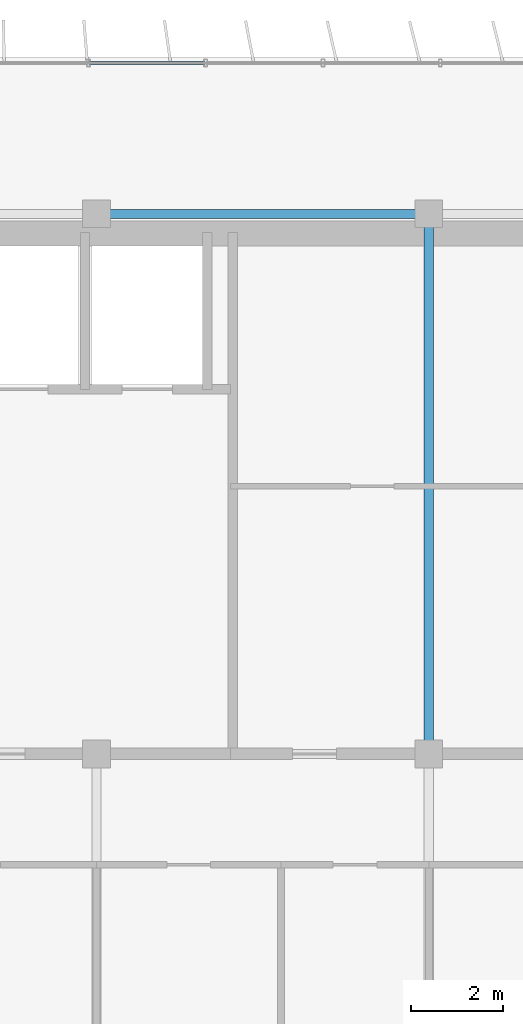
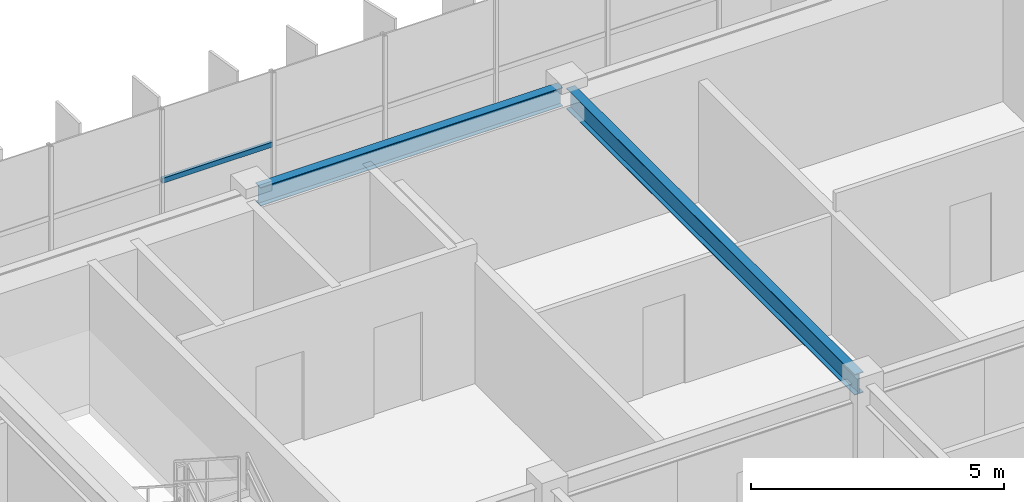
# One storey, part 7 of 22: 2 beams, 1 member, 1 element without a shape of its own.
"""IFC4 building model written with IfcOpenShell, lengths in metres."""

from ifc_helpers import new_model, si_unit, direction, frame, origin, origin_2d, place, context, subcontext, project, spatial, hollow_rectangle, i_section, extrude, source, transform, mapped, material, material_profile, profile_set, type_object, element, aggregate, save


model = new_model("IFC4")

# Units and contexts
model_context = context("Model", 3, precision=1e-05, world=origin(), true_north=direction((0.0, 1.0)))
body_context = subcontext(model_context, "Body", "Model", "MODEL_VIEW")
ifc_project = project(units=[si_unit("LENGTHUNIT", "METRE"), si_unit("AREAUNIT", "SQUARE_METRE"), si_unit("VOLUMEUNIT", "CUBIC_METRE"), si_unit("PLANEANGLEUNIT", "RADIAN"), si_unit("MASSUNIT", "GRAM", prefix="KILO")], contexts=[model_context])

# Site, building, storey
site_placement = place(None, origin())
site = spatial("IfcSite", under=ifc_project, at=site_placement, CompositionType="ELEMENT")
building_placement = place(site_placement, origin())
building = spatial("IfcBuilding", under=site, at=building_placement, Name="Trelvane Seafront Commons", CompositionType="ELEMENT")
storey_placement = place(building_placement, frame((0.0, 0.0, 281.10009765625)))
storey = spatial("IfcBuildingStorey", under=building, at=storey_placement, Name="L73", CompositionType="ELEMENT", Elevation=281.10009765625)

# Beams
ifc_material_1 = material(Name="Steel SM355 (S355)", Category="steel")
ifc_material_profile_1 = material_profile(ifc_material_1, i_section(OverallWidth=0.199951171875, OverallDepth=0.5, WebThickness=0.010009765625, FlangeThickness=0.01611328125, at=origin_2d()), Name="H-500x200x10x16")
ifc_profile_set_1 = profile_set([ifc_material_profile_1], Name="Steel SM355 (S355)")
beam_type_1 = type_object("IfcBeamType", Name="STR-BM-H500", PredefinedType="BEAM", material=ifc_profile_set_1)
shared_shape_1 = source(origin(), body_context, "Body", "SweptSolid", [
    extrude(i_section(OverallWidth=0.199951171875, OverallDepth=0.5, WebThickness=0.010009765625, FlangeThickness=0.01611328125, at=origin_2d()), origin(), (0.0, 0.0, 1.0), 11.39990234375),
])
beam_1_placement = place(storey_placement, frame((30.60009765625, 33.550048828125, 3.119873046875), z_axis=(0.0, 1.0, 0.0), x_axis=(-1.0, 0.0, 0.0)))
element("IfcBeam", 1, at=beam_1_placement, inside=storey, type_object=beam_type_1, Name="L73 Primary Girder G-40", PredefinedType="BEAM", context=body_context, shape_type="MappedRepresentation", body=[
    mapped(shared_shape_1, transform((0.0, 0.0, 0.0), x_axis=(1.0, 0.0, 0.0), y_axis=(0.0, 1.0, 0.0), z_axis=(0.0, 0.0, 1.0), scale=1.0)),
])
ifc_material_profile_2 = material_profile(ifc_material_1, i_section(OverallWidth=0.199951171875, OverallDepth=0.449951171875, WebThickness=0.009033203125, FlangeThickness=0.013916015625, at=origin_2d()), Name="H-450x200x9x14")
ifc_profile_set_2 = profile_set([ifc_material_profile_2], Name="Steel SM355 (S355)")
beam_type_2 = type_object("IfcBeamType", Name="STR-SPD-H450", PredefinedType="SPANDREL", material=ifc_profile_set_2)
shared_shape_2 = source(origin(), body_context, "Body", "SweptSolid", [
    extrude(i_section(OverallWidth=0.199951171875, OverallDepth=0.449951171875, WebThickness=0.009033203125, FlangeThickness=0.013916015625, at=origin_2d()), origin(), (0.0, 0.0, 1.0), 6.89990234375),
])
beam_2_placement = place(storey_placement, frame((23.550048828125, 45.10009765625, 3.14501953125), z_axis=(1.0, 0.0, 0.0), x_axis=(0.0, 1.0, 0.0)))
element("IfcBeam", 2, at=beam_2_placement, inside=storey, type_object=beam_type_2, Name="L73 Primary Girder G-24", PredefinedType="SPANDREL", context=body_context, shape_type="MappedRepresentation", body=[
    mapped(shared_shape_2, transform((0.0, 0.0, 0.0), x_axis=(1.0, 0.0, 0.0), y_axis=(0.0, 1.0, 0.0), z_axis=(0.0, 0.0, 1.0), scale=1.0)),
])

# Curtain wall, member
ifc_material_2 = material(Name="Anodised pale-silver aluminium", Category="aluminium")
curtain_wall_type = type_object("IfcCurtainWallType", Name="ARCH-CW5-UPTOWER", PredefinedType="NOTDEFINED", material=ifc_material_2)
curtain_wall_placement = place(storey_placement, origin())
curtain_wall = element("IfcCurtainWall", 3, at=curtain_wall_placement, inside=storey, type_object=curtain_wall_type, Name="CW-L73-0117", PredefinedType="NOTDEFINED")
ifc_material_profile_3 = material_profile(ifc_material_2, hollow_rectangle(XDim=0.070068359375, YDim=0.1201171875, WallThickness=0.00390625, at=origin_2d()), Name="TRAN-70x120x4")
ifc_profile_set_3 = profile_set([ifc_material_profile_3], Name="Anodised pale-silver aluminium")
member_type = type_object("IfcMemberType", Name="ARCH-CW-TRAN-120", PredefinedType="USERDEFINED", material=ifc_profile_set_3)
shared_shape_3 = source(origin(), body_context, "Body", "SweptSolid", [
    extrude(hollow_rectangle(XDim=0.070068359375, YDim=0.1201171875, WallThickness=0.00390625, at=origin_2d()), origin(), (0.0, 0.0, 1.0), 2.51708984375),
])
member_placement = place(storey_placement, frame((23.235595703125, 48.3701171875, 1.617919921875), z_axis=(1.0, 0.0, 0.0), x_axis=(0.0, 1.0, 0.0)))
member = element("IfcMember", 4, at=member_placement, type_object=member_type, Name="CW-L73-0117-T03", ObjectType="TRANSOM", PredefinedType="USERDEFINED", context=body_context, shape_type="MappedRepresentation", body=[
    mapped(shared_shape_3, transform((0.0, 0.0, 0.0), x_axis=(1.0, 0.0, 0.0), y_axis=(0.0, 1.0, 0.0), z_axis=(0.0, 0.0, 1.0), scale=1.0)),
])
aggregate(curtain_wall, [member])

save(model, "model.ifc")
